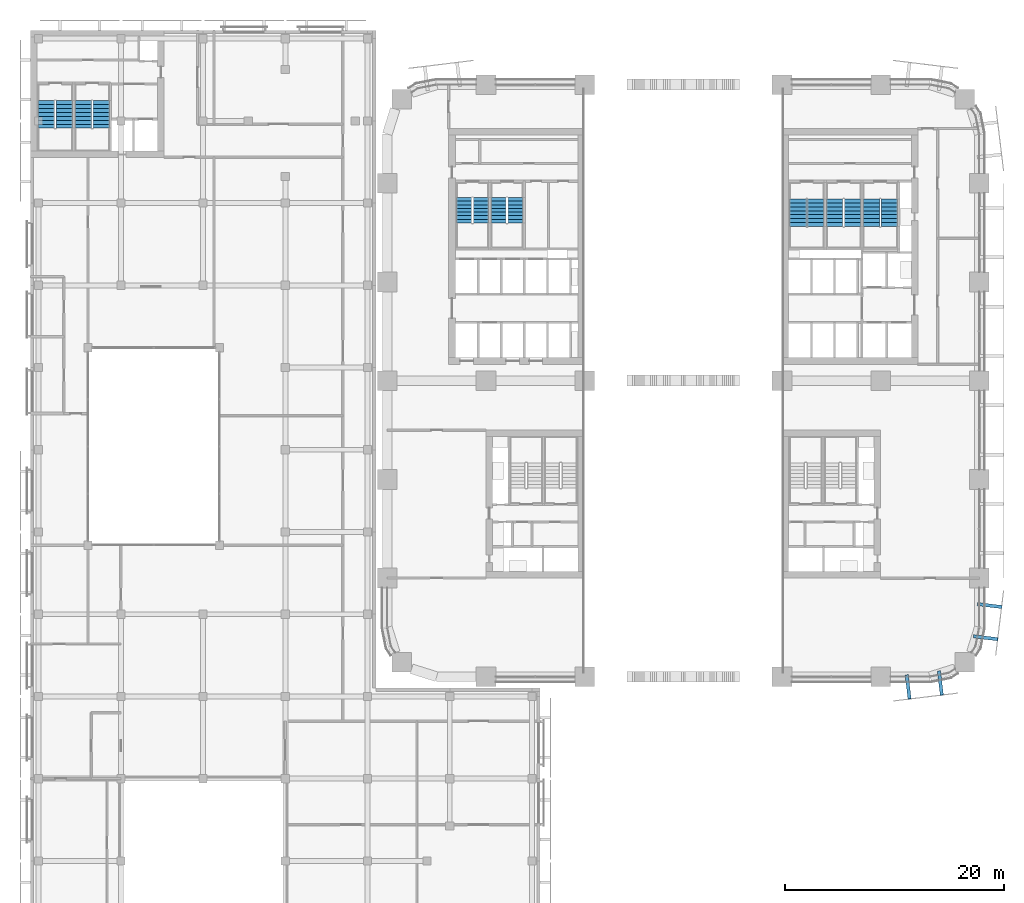
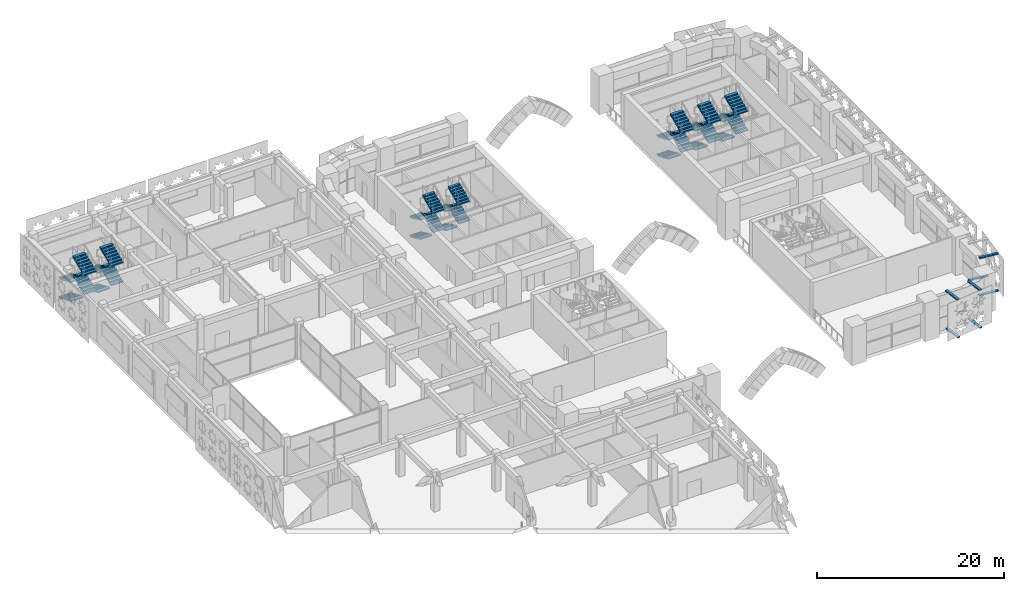
# One storey, part 24 of 40: 28 stair flights, 7 discrete accessories, 7 elements without a shape of their own.
"""IFC4 building model written with IfcOpenShell, lengths in metres."""

from ifc_helpers import new_model, si_unit, direction, frame, origin, origin_2d, place, context, subcontext, project, spatial, polyline, rectangle, outline, extrude, material, type_object, element, aggregate, save


model = new_model("IFC4")

# Units and contexts
model_context = context("Model", 3, precision=1e-05, world=origin(), true_north=direction((0.0, 1.0)))
body_context = subcontext(model_context, "Body", "Model", "MODEL_VIEW")
ifc_project = project(units=[si_unit("LENGTHUNIT", "METRE"), si_unit("AREAUNIT", "SQUARE_METRE"), si_unit("VOLUMEUNIT", "CUBIC_METRE"), si_unit("PLANEANGLEUNIT", "RADIAN"), si_unit("MASSUNIT", "GRAM", prefix="KILO")], contexts=[model_context])

# Site, building, storey
site_placement = place(None, origin())
site = spatial("IfcSite", under=ifc_project, at=site_placement, CompositionType="ELEMENT")
building_placement = place(site_placement, origin())
building = spatial("IfcBuilding", under=site, at=building_placement, Name="Tessera Arch", CompositionType="ELEMENT")
storey_placement = place(building_placement, frame((0.0, 0.0, 21.0)))
storey = spatial("IfcBuildingStorey", under=building, at=storey_placement, Name="L03", CompositionType="ELEMENT", Elevation=21.0)

# Stair, stair flights
ifc_material_1 = material(Name="Concrete C40/50", Category="concrete")
stair_type_1 = type_object("IfcStairType", Name="Dogleg stair 1400", PredefinedType="HALF_TURN_STAIR", material=ifc_material_1)
stair_1_placement = place(storey_placement, origin())
stair_1 = element("IfcStair", 1, at=stair_1_placement, inside=storey, type_object=stair_type_1, Name="L03 S2a", PredefinedType="HALF_TURN_STAIR")
ifc_material_2 = material(Name="Concrete C40/50", Category="concrete")
stair_flight_type_1 = type_object("IfcStairFlightType", Name="Stair flight 1400", PredefinedType="STRAIGHT", material=ifc_material_2)
stair_flight_1_placement = place(storey_placement, frame((7.0, 43.699951171875, 0.0), z_axis=(0.0, 0.0, 1.0), x_axis=(0.0, -1.0, 0.0)))
stair_flight_1 = element("IfcStairFlight", 2, at=stair_flight_1_placement, type_object=stair_flight_type_1, Name="S2a flight 1", NumberOfRisers=8, NumberOfTreads=7, PredefinedType="STRAIGHT", RiserHeight=0.15625, TreadLength=0.33, context=body_context, shape_type="SweptSolid", body=[
    extrude(outline(polyline([(0.0, 0.0), (0.0, 0.15625), (0.330078125, 0.15625), (0.330078125, 0.3125), (0.659912109375, 0.3125), (0.659912109375, 0.46875), (0.989990234375, 0.46875), (0.989990234375, 0.625), (1.320068359375, 0.625), (1.320068359375, 0.78125), (1.64990234375, 0.78125), (1.64990234375, 0.9375), (1.97998046875, 0.9375), (1.97998046875, 1.09375), (2.31005859375, 1.09375), (2.31005859375, 1.25), (2.31005859375, 0.927978515625), (0.350341796875, 0.0), (0.0, 0.0)])), frame((0.0, 0.699951171875, 0.0), z_axis=(0.0, -1.0, 0.0), x_axis=(1.0, 0.0, 0.0)), (0.0, 0.0, 1.0), 1.39990234375),
])
stair_flight_2_placement = place(storey_placement, frame((8.550048828125, 41.389892578125, 1.25), z_axis=(0.0, 0.0, 1.0), x_axis=(0.0, 1.0, 0.0)))
stair_flight_2 = element("IfcStairFlight", 3, at=stair_flight_2_placement, type_object=stair_flight_type_1, Name="S2a flight 2", NumberOfRisers=8, NumberOfTreads=7, PredefinedType="STRAIGHT", RiserHeight=0.15625, TreadLength=0.33, context=body_context, shape_type="SweptSolid", body=[
    extrude(outline(polyline([(0.0, 0.0), (0.0, 0.15625), (0.330078125, 0.15625), (0.330078125, 0.3125), (0.659912109375, 0.3125), (0.659912109375, 0.46875), (0.989990234375, 0.46875), (0.989990234375, 0.625), (1.320068359375, 0.625), (1.320068359375, 0.78125), (1.64990234375, 0.78125), (1.64990234375, 0.9375), (1.97998046875, 0.9375), (1.97998046875, 1.09375), (2.31005859375, 1.09375), (2.31005859375, 1.25), (2.31005859375, 0.927978515625), (0.350341796875, 0.0), (0.0, 0.0)])), frame((0.0, 0.699951171875, 0.0), z_axis=(0.0, -1.0, 0.0), x_axis=(1.0, 0.0, 0.0)), (0.0, 0.0, 1.0), 1.39990234375),
])
stair_flight_3_placement = place(storey_placement, frame((7.0, 43.699951171875, 2.5), z_axis=(0.0, 0.0, 1.0), x_axis=(0.0, -1.0, 0.0)))
stair_flight_3 = element("IfcStairFlight", 4, at=stair_flight_3_placement, type_object=stair_flight_type_1, Name="S2a flight 3", NumberOfRisers=8, NumberOfTreads=7, PredefinedType="STRAIGHT", RiserHeight=0.15625, TreadLength=0.33, context=body_context, shape_type="SweptSolid", body=[
    extrude(outline(polyline([(0.0, 0.0), (0.0, 0.15625), (0.330078125, 0.15625), (0.330078125, 0.3125), (0.659912109375, 0.3125), (0.659912109375, 0.46875), (0.989990234375, 0.46875), (0.989990234375, 0.625), (1.320068359375, 0.625), (1.320068359375, 0.78125), (1.64990234375, 0.78125), (1.64990234375, 0.9375), (1.97998046875, 0.9375), (1.97998046875, 1.09375), (2.31005859375, 1.09375), (2.31005859375, 1.25), (2.31005859375, 0.927978515625), (0.350341796875, 0.0), (0.0, 0.0)])), frame((0.0, 0.699951171875, 0.0), z_axis=(0.0, -1.0, 0.0), x_axis=(1.0, 0.0, 0.0)), (0.0, 0.0, 1.0), 1.39990234375),
])
stair_flight_4_placement = place(storey_placement, frame((8.550048828125, 41.389892578125, 3.75), z_axis=(0.0, 0.0, 1.0), x_axis=(0.0, 1.0, 0.0)))
stair_flight_4 = element("IfcStairFlight", 5, at=stair_flight_4_placement, type_object=stair_flight_type_1, Name="S2a flight 4", NumberOfRisers=8, NumberOfTreads=7, PredefinedType="STRAIGHT", RiserHeight=0.15625, TreadLength=0.33, context=body_context, shape_type="SweptSolid", body=[
    extrude(outline(polyline([(0.0, 0.0), (0.0, 0.15625), (0.330078125, 0.15625), (0.330078125, 0.3125), (0.659912109375, 0.3125), (0.659912109375, 0.46875), (0.989990234375, 0.46875), (0.989990234375, 0.625), (1.320068359375, 0.625), (1.320068359375, 0.78125), (1.64990234375, 0.78125), (1.64990234375, 0.9375), (1.97998046875, 0.9375), (1.97998046875, 1.09375), (2.31005859375, 1.09375), (2.31005859375, 1.25), (2.31005859375, 0.927978515625), (0.350341796875, 0.0), (0.0, 0.0)])), frame((0.0, 0.699951171875, 0.0), z_axis=(0.0, -1.0, 0.0), x_axis=(1.0, 0.0, 0.0)), (0.0, 0.0, 1.0), 1.39990234375),
])
aggregate(stair_1, [stair_flight_1, stair_flight_2, stair_flight_3, stair_flight_4])

stair_2_placement = place(storey_placement, origin())
stair_2 = element("IfcStair", 6, at=stair_2_placement, inside=storey, type_object=stair_type_1, Name="L03 S2b", PredefinedType="HALF_TURN_STAIR")
stair_flight_5_placement = place(storey_placement, frame((10.14990234375, 43.699951171875, 0.0), z_axis=(0.0, 0.0, 1.0), x_axis=(0.0, -1.0, 0.0)))
stair_flight_5 = element("IfcStairFlight", 7, at=stair_flight_5_placement, type_object=stair_flight_type_1, Name="S2b flight 1", NumberOfRisers=8, NumberOfTreads=7, PredefinedType="STRAIGHT", RiserHeight=0.15625, TreadLength=0.33, context=body_context, shape_type="SweptSolid", body=[
    extrude(outline(polyline([(0.0, 0.0), (0.0, 0.15625), (0.330078125, 0.15625), (0.330078125, 0.3125), (0.659912109375, 0.3125), (0.659912109375, 0.46875), (0.989990234375, 0.46875), (0.989990234375, 0.625), (1.320068359375, 0.625), (1.320068359375, 0.78125), (1.64990234375, 0.78125), (1.64990234375, 0.9375), (1.97998046875, 0.9375), (1.97998046875, 1.09375), (2.31005859375, 1.09375), (2.31005859375, 1.25), (2.31005859375, 0.927978515625), (0.350341796875, 0.0), (0.0, 0.0)])), frame((0.0, 0.699951171875, 0.0), z_axis=(0.0, -1.0, 0.0), x_axis=(1.0, 0.0, 0.0)), (0.0, 0.0, 1.0), 1.39990234375),
])
stair_flight_6_placement = place(storey_placement, frame((11.699951171875, 41.389892578125, 1.25), z_axis=(0.0, 0.0, 1.0), x_axis=(0.0, 1.0, 0.0)))
stair_flight_6 = element("IfcStairFlight", 8, at=stair_flight_6_placement, type_object=stair_flight_type_1, Name="S2b flight 2", NumberOfRisers=8, NumberOfTreads=7, PredefinedType="STRAIGHT", RiserHeight=0.15625, TreadLength=0.33, context=body_context, shape_type="SweptSolid", body=[
    extrude(outline(polyline([(0.0, 0.0), (0.0, 0.15625), (0.330078125, 0.15625), (0.330078125, 0.3125), (0.659912109375, 0.3125), (0.659912109375, 0.46875), (0.989990234375, 0.46875), (0.989990234375, 0.625), (1.320068359375, 0.625), (1.320068359375, 0.78125), (1.64990234375, 0.78125), (1.64990234375, 0.9375), (1.97998046875, 0.9375), (1.97998046875, 1.09375), (2.31005859375, 1.09375), (2.31005859375, 1.25), (2.31005859375, 0.927978515625), (0.350341796875, 0.0), (0.0, 0.0)])), frame((0.0, 0.699951171875, 0.0), z_axis=(0.0, -1.0, 0.0), x_axis=(1.0, 0.0, 0.0)), (0.0, 0.0, 1.0), 1.39990234375),
])
stair_flight_7_placement = place(storey_placement, frame((10.14990234375, 43.699951171875, 2.5), z_axis=(0.0, 0.0, 1.0), x_axis=(0.0, -1.0, 0.0)))
stair_flight_7 = element("IfcStairFlight", 9, at=stair_flight_7_placement, type_object=stair_flight_type_1, Name="S2b flight 3", NumberOfRisers=8, NumberOfTreads=7, PredefinedType="STRAIGHT", RiserHeight=0.15625, TreadLength=0.33, context=body_context, shape_type="SweptSolid", body=[
    extrude(outline(polyline([(0.0, 0.0), (0.0, 0.15625), (0.330078125, 0.15625), (0.330078125, 0.3125), (0.659912109375, 0.3125), (0.659912109375, 0.46875), (0.989990234375, 0.46875), (0.989990234375, 0.625), (1.320068359375, 0.625), (1.320068359375, 0.78125), (1.64990234375, 0.78125), (1.64990234375, 0.9375), (1.97998046875, 0.9375), (1.97998046875, 1.09375), (2.31005859375, 1.09375), (2.31005859375, 1.25), (2.31005859375, 0.927978515625), (0.350341796875, 0.0), (0.0, 0.0)])), frame((0.0, 0.699951171875, 0.0), z_axis=(0.0, -1.0, 0.0), x_axis=(1.0, 0.0, 0.0)), (0.0, 0.0, 1.0), 1.39990234375),
])
stair_flight_8_placement = place(storey_placement, frame((11.699951171875, 41.389892578125, 3.75), z_axis=(0.0, 0.0, 1.0), x_axis=(0.0, 1.0, 0.0)))
stair_flight_8 = element("IfcStairFlight", 10, at=stair_flight_8_placement, type_object=stair_flight_type_1, Name="S2b flight 4", NumberOfRisers=8, NumberOfTreads=7, PredefinedType="STRAIGHT", RiserHeight=0.15625, TreadLength=0.33, context=body_context, shape_type="SweptSolid", body=[
    extrude(outline(polyline([(0.0, 0.0), (0.0, 0.15625), (0.330078125, 0.15625), (0.330078125, 0.3125), (0.659912109375, 0.3125), (0.659912109375, 0.46875), (0.989990234375, 0.46875), (0.989990234375, 0.625), (1.320068359375, 0.625), (1.320068359375, 0.78125), (1.64990234375, 0.78125), (1.64990234375, 0.9375), (1.97998046875, 0.9375), (1.97998046875, 1.09375), (2.31005859375, 1.09375), (2.31005859375, 1.25), (2.31005859375, 0.927978515625), (0.350341796875, 0.0), (0.0, 0.0)])), frame((0.0, 0.699951171875, 0.0), z_axis=(0.0, -1.0, 0.0), x_axis=(1.0, 0.0, 0.0)), (0.0, 0.0, 1.0), 1.39990234375),
])
aggregate(stair_2, [stair_flight_5, stair_flight_6, stair_flight_7, stair_flight_8])

ifc_material_3 = material(Name="Concrete C40/50", Category="concrete")
stair_type_2 = type_object("IfcStairType", Name="Dogleg stair 1500", PredefinedType="HALF_TURN_STAIR", material=ifc_material_3)
stair_3_placement = place(storey_placement, origin())
stair_3 = element("IfcStair", 11, at=stair_3_placement, inside=storey, type_object=stair_type_2, Name="L03 M1a", PredefinedType="HALF_TURN_STAIR")
ifc_material_4 = material(Name="Concrete C40/50", Category="concrete")
stair_flight_type_2 = type_object("IfcStairFlightType", Name="Stair flight 1500", PredefinedType="STRAIGHT", material=ifc_material_4)
stair_flight_9_placement = place(storey_placement, frame((-31.10009765625, 52.550048828125, 0.0), z_axis=(0.0, 0.0, 1.0), x_axis=(0.0, -1.0, 0.0)))
stair_flight_9 = element("IfcStairFlight", 12, at=stair_flight_9_placement, type_object=stair_flight_type_2, Name="M1a flight 1", NumberOfRisers=8, NumberOfTreads=7, PredefinedType="STRAIGHT", RiserHeight=0.15625, TreadLength=0.36, context=body_context, shape_type="SweptSolid", body=[
    extrude(outline(polyline([(0.0, 0.0), (0.0, 0.15625), (0.360107421875, 0.15625), (0.360107421875, 0.3125), (0.719970703125, 0.3125), (0.719970703125, 0.46875), (1.080078125, 0.46875), (1.080078125, 0.625), (1.43994140625, 0.625), (1.43994140625, 0.78125), (1.800048828125, 0.78125), (1.800048828125, 0.9375), (2.159912109375, 0.9375), (2.159912109375, 1.09375), (2.52001953125, 1.09375), (2.52001953125, 1.25), (2.52001953125, 0.930419921875), (0.37646484375, 0.0), (0.0, 0.0)])), frame((0.0, 0.75, 0.0), z_axis=(0.0, -1.0, 0.0), x_axis=(1.0, 0.0, 0.0)), (0.0, 0.0, 1.0), 1.5),
])
stair_flight_10_placement = place(storey_placement, frame((-29.449951171875, 50.030029296875, 1.25), z_axis=(0.0, 0.0, 1.0), x_axis=(0.0, 1.0, 0.0)))
stair_flight_10 = element("IfcStairFlight", 13, at=stair_flight_10_placement, type_object=stair_flight_type_2, Name="M1a flight 2", NumberOfRisers=8, NumberOfTreads=7, PredefinedType="STRAIGHT", RiserHeight=0.15625, TreadLength=0.36, context=body_context, shape_type="SweptSolid", body=[
    extrude(outline(polyline([(0.0, 0.0), (0.0, 0.15625), (0.360107421875, 0.15625), (0.360107421875, 0.3125), (0.719970703125, 0.3125), (0.719970703125, 0.46875), (1.080078125, 0.46875), (1.080078125, 0.625), (1.43994140625, 0.625), (1.43994140625, 0.78125), (1.800048828125, 0.78125), (1.800048828125, 0.9375), (2.159912109375, 0.9375), (2.159912109375, 1.09375), (2.52001953125, 1.09375), (2.52001953125, 1.25), (2.52001953125, 0.930419921875), (0.37646484375, 0.0), (0.0, 0.0)])), frame((0.0, 0.75, 0.0), z_axis=(0.0, -1.0, 0.0), x_axis=(1.0, 0.0, 0.0)), (0.0, 0.0, 1.0), 1.5),
])
stair_flight_11_placement = place(storey_placement, frame((-31.10009765625, 52.550048828125, 2.5), z_axis=(0.0, 0.0, 1.0), x_axis=(0.0, -1.0, 0.0)))
stair_flight_11 = element("IfcStairFlight", 14, at=stair_flight_11_placement, type_object=stair_flight_type_2, Name="M1a flight 3", NumberOfRisers=8, NumberOfTreads=7, PredefinedType="STRAIGHT", RiserHeight=0.15625, TreadLength=0.36, context=body_context, shape_type="SweptSolid", body=[
    extrude(outline(polyline([(0.0, 0.0), (0.0, 0.15625), (0.360107421875, 0.15625), (0.360107421875, 0.3125), (0.719970703125, 0.3125), (0.719970703125, 0.46875), (1.080078125, 0.46875), (1.080078125, 0.625), (1.43994140625, 0.625), (1.43994140625, 0.78125), (1.800048828125, 0.78125), (1.800048828125, 0.9375), (2.159912109375, 0.9375), (2.159912109375, 1.09375), (2.52001953125, 1.09375), (2.52001953125, 1.25), (2.52001953125, 0.930419921875), (0.37646484375, 0.0), (0.0, 0.0)])), frame((0.0, 0.75, 0.0), z_axis=(0.0, -1.0, 0.0), x_axis=(1.0, 0.0, 0.0)), (0.0, 0.0, 1.0), 1.5),
])
stair_flight_12_placement = place(storey_placement, frame((-29.449951171875, 50.030029296875, 3.75), z_axis=(0.0, 0.0, 1.0), x_axis=(0.0, 1.0, 0.0)))
stair_flight_12 = element("IfcStairFlight", 15, at=stair_flight_12_placement, type_object=stair_flight_type_2, Name="M1a flight 4", NumberOfRisers=8, NumberOfTreads=7, PredefinedType="STRAIGHT", RiserHeight=0.15625, TreadLength=0.36, context=body_context, shape_type="SweptSolid", body=[
    extrude(outline(polyline([(0.0, 0.0), (0.0, 0.15625), (0.360107421875, 0.15625), (0.360107421875, 0.3125), (0.719970703125, 0.3125), (0.719970703125, 0.46875), (1.080078125, 0.46875), (1.080078125, 0.625), (1.43994140625, 0.625), (1.43994140625, 0.78125), (1.800048828125, 0.78125), (1.800048828125, 0.9375), (2.159912109375, 0.9375), (2.159912109375, 1.09375), (2.52001953125, 1.09375), (2.52001953125, 1.25), (2.52001953125, 0.930419921875), (0.37646484375, 0.0), (0.0, 0.0)])), frame((0.0, 0.75, 0.0), z_axis=(0.0, -1.0, 0.0), x_axis=(1.0, 0.0, 0.0)), (0.0, 0.0, 1.0), 1.5),
])
aggregate(stair_3, [stair_flight_9, stair_flight_10, stair_flight_11, stair_flight_12])

stair_4_placement = place(storey_placement, origin())
stair_4 = element("IfcStair", 16, at=stair_4_placement, inside=storey, type_object=stair_type_2, Name="L03 M1b", PredefinedType="HALF_TURN_STAIR")
stair_flight_13_placement = place(storey_placement, frame((-27.75, 52.550048828125, 0.0), z_axis=(0.0, 0.0, 1.0), x_axis=(0.0, -1.0, 0.0)))
stair_flight_13 = element("IfcStairFlight", 17, at=stair_flight_13_placement, type_object=stair_flight_type_2, Name="M1b flight 1", NumberOfRisers=8, NumberOfTreads=7, PredefinedType="STRAIGHT", RiserHeight=0.15625, TreadLength=0.36, context=body_context, shape_type="SweptSolid", body=[
    extrude(outline(polyline([(0.0, 0.0), (0.0, 0.15625), (0.360107421875, 0.15625), (0.360107421875, 0.3125), (0.719970703125, 0.3125), (0.719970703125, 0.46875), (1.080078125, 0.46875), (1.080078125, 0.625), (1.43994140625, 0.625), (1.43994140625, 0.78125), (1.800048828125, 0.78125), (1.800048828125, 0.9375), (2.159912109375, 0.9375), (2.159912109375, 1.09375), (2.52001953125, 1.09375), (2.52001953125, 1.25), (2.52001953125, 0.930419921875), (0.37646484375, 0.0), (0.0, 0.0)])), frame((0.0, 0.75, 0.0), z_axis=(0.0, -1.0, 0.0), x_axis=(1.0, 0.0, 0.0)), (0.0, 0.0, 1.0), 1.5),
])
stair_flight_14_placement = place(storey_placement, frame((-26.10009765625, 50.030029296875, 1.25), z_axis=(0.0, 0.0, 1.0), x_axis=(0.0, 1.0, 0.0)))
stair_flight_14 = element("IfcStairFlight", 18, at=stair_flight_14_placement, type_object=stair_flight_type_2, Name="M1b flight 2", NumberOfRisers=8, NumberOfTreads=7, PredefinedType="STRAIGHT", RiserHeight=0.15625, TreadLength=0.36, context=body_context, shape_type="SweptSolid", body=[
    extrude(outline(polyline([(0.0, 0.0), (0.0, 0.15625), (0.360107421875, 0.15625), (0.360107421875, 0.3125), (0.719970703125, 0.3125), (0.719970703125, 0.46875), (1.080078125, 0.46875), (1.080078125, 0.625), (1.43994140625, 0.625), (1.43994140625, 0.78125), (1.800048828125, 0.78125), (1.800048828125, 0.9375), (2.159912109375, 0.9375), (2.159912109375, 1.09375), (2.52001953125, 1.09375), (2.52001953125, 1.25), (2.52001953125, 0.930419921875), (0.37646484375, 0.0), (0.0, 0.0)])), frame((0.0, 0.75, 0.0), z_axis=(0.0, -1.0, 0.0), x_axis=(1.0, 0.0, 0.0)), (0.0, 0.0, 1.0), 1.5),
])
stair_flight_15_placement = place(storey_placement, frame((-27.75, 52.550048828125, 2.5), z_axis=(0.0, 0.0, 1.0), x_axis=(0.0, -1.0, 0.0)))
stair_flight_15 = element("IfcStairFlight", 19, at=stair_flight_15_placement, type_object=stair_flight_type_2, Name="M1b flight 3", NumberOfRisers=8, NumberOfTreads=7, PredefinedType="STRAIGHT", RiserHeight=0.15625, TreadLength=0.36, context=body_context, shape_type="SweptSolid", body=[
    extrude(outline(polyline([(0.0, 0.0), (0.0, 0.15625), (0.360107421875, 0.15625), (0.360107421875, 0.3125), (0.719970703125, 0.3125), (0.719970703125, 0.46875), (1.080078125, 0.46875), (1.080078125, 0.625), (1.43994140625, 0.625), (1.43994140625, 0.78125), (1.800048828125, 0.78125), (1.800048828125, 0.9375), (2.159912109375, 0.9375), (2.159912109375, 1.09375), (2.52001953125, 1.09375), (2.52001953125, 1.25), (2.52001953125, 0.930419921875), (0.37646484375, 0.0), (0.0, 0.0)])), frame((0.0, 0.75, 0.0), z_axis=(0.0, -1.0, 0.0), x_axis=(1.0, 0.0, 0.0)), (0.0, 0.0, 1.0), 1.5),
])
stair_flight_16_placement = place(storey_placement, frame((-26.10009765625, 50.030029296875, 3.75), z_axis=(0.0, 0.0, 1.0), x_axis=(0.0, 1.0, 0.0)))
stair_flight_16 = element("IfcStairFlight", 20, at=stair_flight_16_placement, type_object=stair_flight_type_2, Name="M1b flight 4", NumberOfRisers=8, NumberOfTreads=7, PredefinedType="STRAIGHT", RiserHeight=0.15625, TreadLength=0.36, context=body_context, shape_type="SweptSolid", body=[
    extrude(outline(polyline([(0.0, 0.0), (0.0, 0.15625), (0.360107421875, 0.15625), (0.360107421875, 0.3125), (0.719970703125, 0.3125), (0.719970703125, 0.46875), (1.080078125, 0.46875), (1.080078125, 0.625), (1.43994140625, 0.625), (1.43994140625, 0.78125), (1.800048828125, 0.78125), (1.800048828125, 0.9375), (2.159912109375, 0.9375), (2.159912109375, 1.09375), (2.52001953125, 1.09375), (2.52001953125, 1.25), (2.52001953125, 0.930419921875), (0.37646484375, 0.0), (0.0, 0.0)])), frame((0.0, 0.75, 0.0), z_axis=(0.0, -1.0, 0.0), x_axis=(1.0, 0.0, 0.0)), (0.0, 0.0, 1.0), 1.5),
])
aggregate(stair_4, [stair_flight_13, stair_flight_14, stair_flight_15, stair_flight_16])

ifc_material_5 = material(Name="Concrete C40/50", Category="concrete")
stair_type_3 = type_object("IfcStairType", Name="Dogleg stair 1520", PredefinedType="HALF_TURN_STAIR", material=ifc_material_5)
stair_5_placement = place(storey_placement, origin())
stair_5 = element("IfcStair", 21, at=stair_5_placement, inside=storey, type_object=stair_type_3, Name="L03 S1a", PredefinedType="HALF_TURN_STAIR")
ifc_material_6 = material(Name="Concrete C40/50", Category="concrete")
stair_flight_type_3 = type_object("IfcStairFlightType", Name="Stair flight 1520", PredefinedType="STRAIGHT", material=ifc_material_6)
stair_flight_17_placement = place(storey_placement, frame((37.4599609375, 43.580078125, 0.0), z_axis=(0.0, 0.0, 1.0), x_axis=(0.0, -1.0, 0.0)))
stair_flight_17 = element("IfcStairFlight", 22, at=stair_flight_17_placement, type_object=stair_flight_type_3, Name="S1a flight 1", NumberOfRisers=8, NumberOfTreads=7, PredefinedType="STRAIGHT", RiserHeight=0.15625, TreadLength=0.36, context=body_context, shape_type="SweptSolid", body=[
    extrude(outline(polyline([(0.0, 0.0), (0.0, 0.15625), (0.360107421875, 0.15625), (0.360107421875, 0.3125), (0.719970703125, 0.3125), (0.719970703125, 0.46875), (1.080078125, 0.46875), (1.080078125, 0.625), (1.43994140625, 0.625), (1.43994140625, 0.78125), (1.800048828125, 0.78125), (1.800048828125, 0.9375), (2.159912109375, 0.9375), (2.159912109375, 1.09375), (2.52001953125, 1.09375), (2.52001953125, 1.25), (2.52001953125, 0.930419921875), (0.37646484375, 0.0), (0.0, 0.0)])), frame((0.0, 0.760009765625, 0.0), z_axis=(0.0, -1.0, 0.0), x_axis=(1.0, 0.0, 0.0)), (0.0, 0.0, 1.0), 1.52001953125),
])
stair_flight_18_placement = place(storey_placement, frame((39.090087890625, 41.06005859375, 1.25), z_axis=(0.0, 0.0, 1.0), x_axis=(0.0, 1.0, 0.0)))
stair_flight_18 = element("IfcStairFlight", 23, at=stair_flight_18_placement, type_object=stair_flight_type_3, Name="S1a flight 2", NumberOfRisers=8, NumberOfTreads=7, PredefinedType="STRAIGHT", RiserHeight=0.15625, TreadLength=0.36, context=body_context, shape_type="SweptSolid", body=[
    extrude(outline(polyline([(0.0, 0.0), (0.0, 0.15625), (0.360107421875, 0.15625), (0.360107421875, 0.3125), (0.719970703125, 0.3125), (0.719970703125, 0.46875), (1.080078125, 0.46875), (1.080078125, 0.625), (1.43994140625, 0.625), (1.43994140625, 0.78125), (1.800048828125, 0.78125), (1.800048828125, 0.9375), (2.159912109375, 0.9375), (2.159912109375, 1.09375), (2.52001953125, 1.09375), (2.52001953125, 1.25), (2.52001953125, 0.930419921875), (0.37646484375, 0.0), (0.0, 0.0)])), frame((0.0, 0.760009765625, 0.0), z_axis=(0.0, -1.0, 0.0), x_axis=(1.0, 0.0, 0.0)), (0.0, 0.0, 1.0), 1.52001953125),
])
stair_flight_19_placement = place(storey_placement, frame((37.4599609375, 43.580078125, 2.5), z_axis=(0.0, 0.0, 1.0), x_axis=(0.0, -1.0, 0.0)))
stair_flight_19 = element("IfcStairFlight", 24, at=stair_flight_19_placement, type_object=stair_flight_type_3, Name="S1a flight 3", NumberOfRisers=8, NumberOfTreads=7, PredefinedType="STRAIGHT", RiserHeight=0.15625, TreadLength=0.36, context=body_context, shape_type="SweptSolid", body=[
    extrude(outline(polyline([(0.0, 0.0), (0.0, 0.15625), (0.360107421875, 0.15625), (0.360107421875, 0.3125), (0.719970703125, 0.3125), (0.719970703125, 0.46875), (1.080078125, 0.46875), (1.080078125, 0.625), (1.43994140625, 0.625), (1.43994140625, 0.78125), (1.800048828125, 0.78125), (1.800048828125, 0.9375), (2.159912109375, 0.9375), (2.159912109375, 1.09375), (2.52001953125, 1.09375), (2.52001953125, 1.25), (2.52001953125, 0.930419921875), (0.37646484375, 0.0), (0.0, 0.0)])), frame((0.0, 0.760009765625, 0.0), z_axis=(0.0, -1.0, 0.0), x_axis=(1.0, 0.0, 0.0)), (0.0, 0.0, 1.0), 1.52001953125),
])
stair_flight_20_placement = place(storey_placement, frame((39.090087890625, 41.06005859375, 3.75), z_axis=(0.0, 0.0, 1.0), x_axis=(0.0, 1.0, 0.0)))
stair_flight_20 = element("IfcStairFlight", 25, at=stair_flight_20_placement, type_object=stair_flight_type_3, Name="S1a flight 4", NumberOfRisers=8, NumberOfTreads=7, PredefinedType="STRAIGHT", RiserHeight=0.15625, TreadLength=0.36, context=body_context, shape_type="SweptSolid", body=[
    extrude(outline(polyline([(0.0, 0.0), (0.0, 0.15625), (0.360107421875, 0.15625), (0.360107421875, 0.3125), (0.719970703125, 0.3125), (0.719970703125, 0.46875), (1.080078125, 0.46875), (1.080078125, 0.625), (1.43994140625, 0.625), (1.43994140625, 0.78125), (1.800048828125, 0.78125), (1.800048828125, 0.9375), (2.159912109375, 0.9375), (2.159912109375, 1.09375), (2.52001953125, 1.09375), (2.52001953125, 1.25), (2.52001953125, 0.930419921875), (0.37646484375, 0.0), (0.0, 0.0)])), frame((0.0, 0.760009765625, 0.0), z_axis=(0.0, -1.0, 0.0), x_axis=(1.0, 0.0, 0.0)), (0.0, 0.0, 1.0), 1.52001953125),
])
aggregate(stair_5, [stair_flight_17, stair_flight_18, stair_flight_19, stair_flight_20])

stair_6_placement = place(storey_placement, origin())
stair_6 = element("IfcStair", 26, at=stair_6_placement, inside=storey, type_object=stair_type_3, Name="L03 S1b", PredefinedType="HALF_TURN_STAIR")
stair_flight_21_placement = place(storey_placement, frame((40.81005859375, 43.580078125, 0.0), z_axis=(0.0, 0.0, 1.0), x_axis=(0.0, -1.0, 0.0)))
stair_flight_21 = element("IfcStairFlight", 27, at=stair_flight_21_placement, type_object=stair_flight_type_3, Name="S1b flight 1", NumberOfRisers=8, NumberOfTreads=7, PredefinedType="STRAIGHT", RiserHeight=0.15625, TreadLength=0.36, context=body_context, shape_type="SweptSolid", body=[
    extrude(outline(polyline([(0.0, 0.0), (0.0, 0.15625), (0.360107421875, 0.15625), (0.360107421875, 0.3125), (0.719970703125, 0.3125), (0.719970703125, 0.46875), (1.080078125, 0.46875), (1.080078125, 0.625), (1.43994140625, 0.625), (1.43994140625, 0.78125), (1.800048828125, 0.78125), (1.800048828125, 0.9375), (2.159912109375, 0.9375), (2.159912109375, 1.09375), (2.52001953125, 1.09375), (2.52001953125, 1.25), (2.52001953125, 0.930419921875), (0.37646484375, 0.0), (0.0, 0.0)])), frame((0.0, 0.760009765625, 0.0), z_axis=(0.0, -1.0, 0.0), x_axis=(1.0, 0.0, 0.0)), (0.0, 0.0, 1.0), 1.52001953125),
])
stair_flight_22_placement = place(storey_placement, frame((42.43994140625, 41.06005859375, 1.25), z_axis=(0.0, 0.0, 1.0), x_axis=(0.0, 1.0, 0.0)))
stair_flight_22 = element("IfcStairFlight", 28, at=stair_flight_22_placement, type_object=stair_flight_type_3, Name="S1b flight 2", NumberOfRisers=8, NumberOfTreads=7, PredefinedType="STRAIGHT", RiserHeight=0.15625, TreadLength=0.36, context=body_context, shape_type="SweptSolid", body=[
    extrude(outline(polyline([(0.0, 0.0), (0.0, 0.15625), (0.360107421875, 0.15625), (0.360107421875, 0.3125), (0.719970703125, 0.3125), (0.719970703125, 0.46875), (1.080078125, 0.46875), (1.080078125, 0.625), (1.43994140625, 0.625), (1.43994140625, 0.78125), (1.800048828125, 0.78125), (1.800048828125, 0.9375), (2.159912109375, 0.9375), (2.159912109375, 1.09375), (2.52001953125, 1.09375), (2.52001953125, 1.25), (2.52001953125, 0.930419921875), (0.37646484375, 0.0), (0.0, 0.0)])), frame((0.0, 0.760009765625, 0.0), z_axis=(0.0, -1.0, 0.0), x_axis=(1.0, 0.0, 0.0)), (0.0, 0.0, 1.0), 1.52001953125),
])
stair_flight_23_placement = place(storey_placement, frame((40.81005859375, 43.580078125, 2.5), z_axis=(0.0, 0.0, 1.0), x_axis=(0.0, -1.0, 0.0)))
stair_flight_23 = element("IfcStairFlight", 29, at=stair_flight_23_placement, type_object=stair_flight_type_3, Name="S1b flight 3", NumberOfRisers=8, NumberOfTreads=7, PredefinedType="STRAIGHT", RiserHeight=0.15625, TreadLength=0.36, context=body_context, shape_type="SweptSolid", body=[
    extrude(outline(polyline([(0.0, 0.0), (0.0, 0.15625), (0.360107421875, 0.15625), (0.360107421875, 0.3125), (0.719970703125, 0.3125), (0.719970703125, 0.46875), (1.080078125, 0.46875), (1.080078125, 0.625), (1.43994140625, 0.625), (1.43994140625, 0.78125), (1.800048828125, 0.78125), (1.800048828125, 0.9375), (2.159912109375, 0.9375), (2.159912109375, 1.09375), (2.52001953125, 1.09375), (2.52001953125, 1.25), (2.52001953125, 0.930419921875), (0.37646484375, 0.0), (0.0, 0.0)])), frame((0.0, 0.760009765625, 0.0), z_axis=(0.0, -1.0, 0.0), x_axis=(1.0, 0.0, 0.0)), (0.0, 0.0, 1.0), 1.52001953125),
])
stair_flight_24_placement = place(storey_placement, frame((42.43994140625, 41.06005859375, 3.75), z_axis=(0.0, 0.0, 1.0), x_axis=(0.0, 1.0, 0.0)))
stair_flight_24 = element("IfcStairFlight", 30, at=stair_flight_24_placement, type_object=stair_flight_type_3, Name="S1b flight 4", NumberOfRisers=8, NumberOfTreads=7, PredefinedType="STRAIGHT", RiserHeight=0.15625, TreadLength=0.36, context=body_context, shape_type="SweptSolid", body=[
    extrude(outline(polyline([(0.0, 0.0), (0.0, 0.15625), (0.360107421875, 0.15625), (0.360107421875, 0.3125), (0.719970703125, 0.3125), (0.719970703125, 0.46875), (1.080078125, 0.46875), (1.080078125, 0.625), (1.43994140625, 0.625), (1.43994140625, 0.78125), (1.800048828125, 0.78125), (1.800048828125, 0.9375), (2.159912109375, 0.9375), (2.159912109375, 1.09375), (2.52001953125, 1.09375), (2.52001953125, 1.25), (2.52001953125, 0.930419921875), (0.37646484375, 0.0), (0.0, 0.0)])), frame((0.0, 0.760009765625, 0.0), z_axis=(0.0, -1.0, 0.0), x_axis=(1.0, 0.0, 0.0)), (0.0, 0.0, 1.0), 1.52001953125),
])
aggregate(stair_6, [stair_flight_21, stair_flight_22, stair_flight_23, stair_flight_24])

stair_7_placement = place(storey_placement, origin())
stair_7 = element("IfcStair", 31, at=stair_7_placement, inside=storey, type_object=stair_type_3, Name="L03 S1c", PredefinedType="HALF_TURN_STAIR")
stair_flight_25_placement = place(storey_placement, frame((44.159912109375, 43.580078125, 0.0), z_axis=(0.0, 0.0, 1.0), x_axis=(0.0, -1.0, 0.0)))
stair_flight_25 = element("IfcStairFlight", 32, at=stair_flight_25_placement, type_object=stair_flight_type_3, Name="S1c flight 1", NumberOfRisers=8, NumberOfTreads=7, PredefinedType="STRAIGHT", RiserHeight=0.15625, TreadLength=0.36, context=body_context, shape_type="SweptSolid", body=[
    extrude(outline(polyline([(0.0, 0.0), (0.0, 0.15625), (0.360107421875, 0.15625), (0.360107421875, 0.3125), (0.719970703125, 0.3125), (0.719970703125, 0.46875), (1.080078125, 0.46875), (1.080078125, 0.625), (1.43994140625, 0.625), (1.43994140625, 0.78125), (1.800048828125, 0.78125), (1.800048828125, 0.9375), (2.159912109375, 0.9375), (2.159912109375, 1.09375), (2.52001953125, 1.09375), (2.52001953125, 1.25), (2.52001953125, 0.930419921875), (0.37646484375, 0.0), (0.0, 0.0)])), frame((0.0, 0.760009765625, 0.0), z_axis=(0.0, -1.0, 0.0), x_axis=(1.0, 0.0, 0.0)), (0.0, 0.0, 1.0), 1.52001953125),
])
stair_flight_26_placement = place(storey_placement, frame((45.7900390625, 41.06005859375, 1.25), z_axis=(0.0, 0.0, 1.0), x_axis=(0.0, 1.0, 0.0)))
stair_flight_26 = element("IfcStairFlight", 33, at=stair_flight_26_placement, type_object=stair_flight_type_3, Name="S1c flight 2", NumberOfRisers=8, NumberOfTreads=7, PredefinedType="STRAIGHT", RiserHeight=0.15625, TreadLength=0.36, context=body_context, shape_type="SweptSolid", body=[
    extrude(outline(polyline([(0.0, 0.0), (0.0, 0.15625), (0.360107421875, 0.15625), (0.360107421875, 0.3125), (0.719970703125, 0.3125), (0.719970703125, 0.46875), (1.080078125, 0.46875), (1.080078125, 0.625), (1.43994140625, 0.625), (1.43994140625, 0.78125), (1.800048828125, 0.78125), (1.800048828125, 0.9375), (2.159912109375, 0.9375), (2.159912109375, 1.09375), (2.52001953125, 1.09375), (2.52001953125, 1.25), (2.52001953125, 0.930419921875), (0.37646484375, 0.0), (0.0, 0.0)])), frame((0.0, 0.760009765625, 0.0), z_axis=(0.0, -1.0, 0.0), x_axis=(1.0, 0.0, 0.0)), (0.0, 0.0, 1.0), 1.52001953125),
])
stair_flight_27_placement = place(storey_placement, frame((44.159912109375, 43.580078125, 2.5), z_axis=(0.0, 0.0, 1.0), x_axis=(0.0, -1.0, 0.0)))
stair_flight_27 = element("IfcStairFlight", 34, at=stair_flight_27_placement, type_object=stair_flight_type_3, Name="S1c flight 3", NumberOfRisers=8, NumberOfTreads=7, PredefinedType="STRAIGHT", RiserHeight=0.15625, TreadLength=0.36, context=body_context, shape_type="SweptSolid", body=[
    extrude(outline(polyline([(0.0, 0.0), (0.0, 0.15625), (0.360107421875, 0.15625), (0.360107421875, 0.3125), (0.719970703125, 0.3125), (0.719970703125, 0.46875), (1.080078125, 0.46875), (1.080078125, 0.625), (1.43994140625, 0.625), (1.43994140625, 0.78125), (1.800048828125, 0.78125), (1.800048828125, 0.9375), (2.159912109375, 0.9375), (2.159912109375, 1.09375), (2.52001953125, 1.09375), (2.52001953125, 1.25), (2.52001953125, 0.930419921875), (0.37646484375, 0.0), (0.0, 0.0)])), frame((0.0, 0.760009765625, 0.0), z_axis=(0.0, -1.0, 0.0), x_axis=(1.0, 0.0, 0.0)), (0.0, 0.0, 1.0), 1.52001953125),
])
stair_flight_28_placement = place(storey_placement, frame((45.7900390625, 41.06005859375, 3.75), z_axis=(0.0, 0.0, 1.0), x_axis=(0.0, 1.0, 0.0)))
stair_flight_28 = element("IfcStairFlight", 35, at=stair_flight_28_placement, type_object=stair_flight_type_3, Name="S1c flight 4", NumberOfRisers=8, NumberOfTreads=7, PredefinedType="STRAIGHT", RiserHeight=0.15625, TreadLength=0.36, context=body_context, shape_type="SweptSolid", body=[
    extrude(outline(polyline([(0.0, 0.0), (0.0, 0.15625), (0.360107421875, 0.15625), (0.360107421875, 0.3125), (0.719970703125, 0.3125), (0.719970703125, 0.46875), (1.080078125, 0.46875), (1.080078125, 0.625), (1.43994140625, 0.625), (1.43994140625, 0.78125), (1.800048828125, 0.78125), (1.800048828125, 0.9375), (2.159912109375, 0.9375), (2.159912109375, 1.09375), (2.52001953125, 1.09375), (2.52001953125, 1.25), (2.52001953125, 0.930419921875), (0.37646484375, 0.0), (0.0, 0.0)])), frame((0.0, 0.760009765625, 0.0), z_axis=(0.0, -1.0, 0.0), x_axis=(1.0, 0.0, 0.0)), (0.0, 0.0, 1.0), 1.52001953125),
])
aggregate(stair_7, [stair_flight_25, stair_flight_26, stair_flight_27, stair_flight_28])

# Discrete accessories
discrete_accessory_1_placement = place(storey_placement, frame((47.506591796875, -0.9375, 0.0), z_axis=(0.0, 0.0, 1.0), x_axis=(0.120951161885, -0.992658459108, 0.0)))
element("IfcDiscreteAccessory", 36, at=discrete_accessory_1_placement, inside=storey, Name="Screen panel bracket", PredefinedType="BRACKET", context=body_context, shape_type="SweptSolid", body=[
    extrude(rectangle(XDim=2.25, YDim=0.300048828125, at=origin_2d()), origin(), (0.0, 0.0, 1.0), 0.159912109375),
])
discrete_accessory_2_placement = place(storey_placement, frame((47.50341796875, -0.91259765625, 4.83984375), z_axis=(0.0, 0.0, 1.0), x_axis=(0.120951161885, -0.992658459108, 0.0)))
element("IfcDiscreteAccessory", 37, at=discrete_accessory_2_placement, inside=storey, Name="Screen panel bracket", PredefinedType="BRACKET", context=body_context, shape_type="SweptSolid", body=[
    extrude(rectangle(XDim=2.199951171875, YDim=0.300048828125, at=origin_2d()), origin(), (0.0, 0.0, 1.0), 0.159912109375),
])
discrete_accessory_3_placement = place(storey_placement, frame((50.447509765625, -0.5791015625, 0.0), z_axis=(0.0, 0.0, 1.0), x_axis=(0.120951161885, -0.992658459108, 0.0)))
element("IfcDiscreteAccessory", 38, at=discrete_accessory_3_placement, inside=storey, Name="Screen panel bracket", PredefinedType="BRACKET", context=body_context, shape_type="SweptSolid", body=[
    extrude(rectangle(XDim=2.25, YDim=0.300048828125, at=origin_2d()), origin(), (0.0, 0.0, 1.0), 0.159912109375),
])
discrete_accessory_4_placement = place(storey_placement, frame((50.444580078125, -0.554443359375, 4.83984375), z_axis=(0.0, 0.0, 1.0), x_axis=(0.120951161885, -0.992658459108, 0.0)))
element("IfcDiscreteAccessory", 39, at=discrete_accessory_4_placement, inside=storey, Name="Screen panel bracket", PredefinedType="BRACKET", context=body_context, shape_type="SweptSolid", body=[
    extrude(rectangle(XDim=2.199951171875, YDim=0.300048828125, at=origin_2d()), origin(), (0.0, 0.0, 1.0), 0.159912109375),
])
discrete_accessory_5_placement = place(storey_placement, frame((54.5791015625, 3.552490234375, 0.0), z_axis=(0.0, 0.0, 1.0), x_axis=(0.992658459108, -0.120951161885, 0.0)))
element("IfcDiscreteAccessory", 40, at=discrete_accessory_5_placement, inside=storey, Name="Screen panel bracket", PredefinedType="BRACKET", context=body_context, shape_type="SweptSolid", body=[
    extrude(rectangle(XDim=2.25, YDim=0.300048828125, at=origin_2d()), origin(), (0.0, 0.0, 1.0), 0.159912109375),
])
discrete_accessory_6_placement = place(storey_placement, frame((54.554443359375, 3.555419921875, 4.83984375), z_axis=(0.0, 0.0, 1.0), x_axis=(0.992658459108, -0.120951161885, 0.0)))
element("IfcDiscreteAccessory", 41, at=discrete_accessory_6_placement, inside=storey, Name="Screen panel bracket", PredefinedType="BRACKET", context=body_context, shape_type="SweptSolid", body=[
    extrude(rectangle(XDim=2.199951171875, YDim=0.300048828125, at=origin_2d()), origin(), (0.0, 0.0, 1.0), 0.159912109375),
])
discrete_accessory_7_placement = place(storey_placement, frame((54.9375, 6.493408203125, 0.0), z_axis=(0.0, 0.0, 1.0), x_axis=(0.992658459108, -0.120951161885, 0.0)))
element("IfcDiscreteAccessory", 42, at=discrete_accessory_7_placement, inside=storey, Name="Screen panel bracket", PredefinedType="BRACKET", context=body_context, shape_type="SweptSolid", body=[
    extrude(rectangle(XDim=2.25, YDim=0.300048828125, at=origin_2d()), origin(), (0.0, 0.0, 1.0), 0.159912109375),
])

save(model, "model.ifc")
